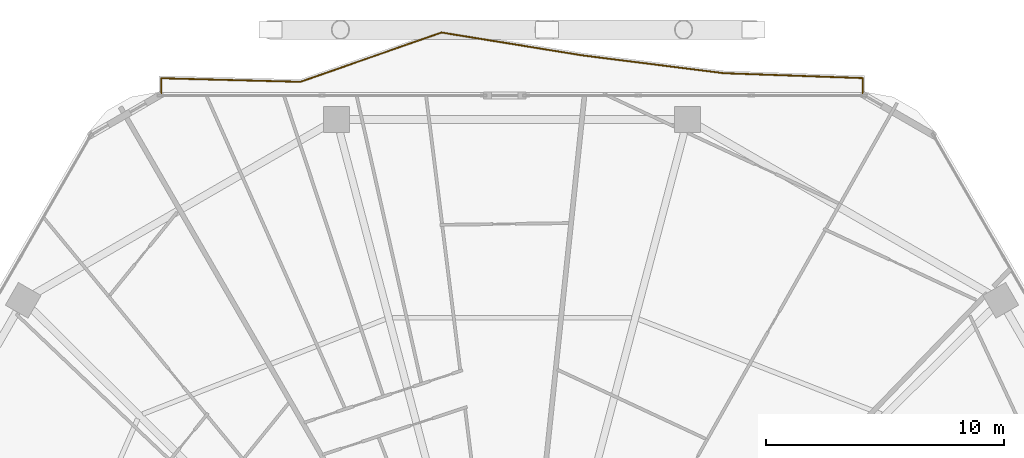
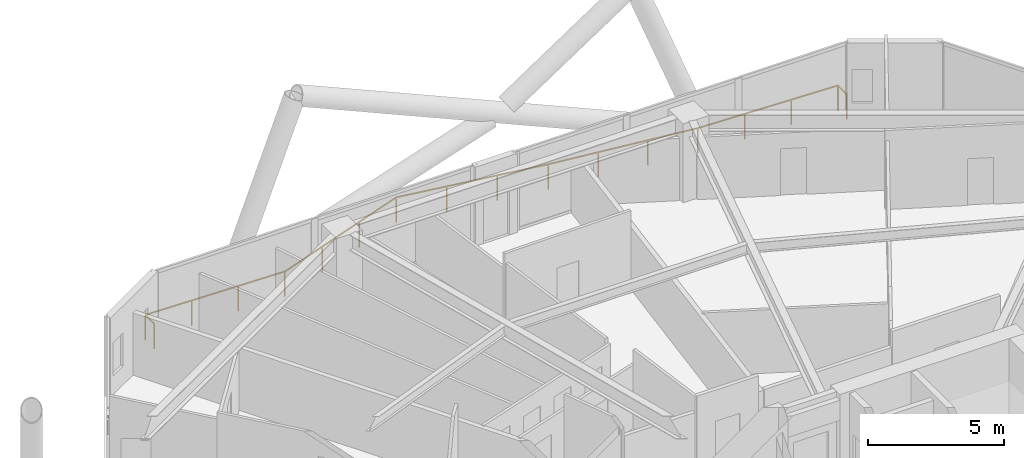
# One storey, part 35 of 35: 1 railing.
"""IFC4 building model written with IfcOpenShell, lengths in metres."""

from ifc_helpers import new_model, si_unit, direction, frame, origin, origin_2d, place, context, subcontext, project, spatial, rectangle, extrude, material, type_object, element, save


model = new_model("IFC4")

# Units and contexts
model_context = context("Model", 3, precision=1e-05, world=origin(), true_north=direction((0.0, 1.0)))
body_context = subcontext(model_context, "Body", "Model", "MODEL_VIEW")
ifc_project = project(units=[si_unit("LENGTHUNIT", "METRE"), si_unit("AREAUNIT", "SQUARE_METRE"), si_unit("VOLUMEUNIT", "CUBIC_METRE"), si_unit("PLANEANGLEUNIT", "RADIAN"), si_unit("MASSUNIT", "GRAM", prefix="KILO")], contexts=[model_context])

# Site, building, storey
site_placement = place(None, origin())
site = spatial("IfcSite", under=ifc_project, at=site_placement, CompositionType="ELEMENT")
building_placement = place(site_placement, origin())
building = spatial("IfcBuilding", under=site, at=building_placement, Name="Zuhravey Tower", CompositionType="ELEMENT")
storey_placement = place(building_placement, frame((0.0, 0.0, 92.39990234375)))
storey = spatial("IfcBuildingStorey", under=building, at=storey_placement, Name="L22", CompositionType="ELEMENT", Elevation=92.39990234375)

# Railing
ifc_material = material(Name="Stainless steel 316 and laminated glass", Category="steel")
railing_type = type_object("IfcRailingType", Name="Balcony & Terrace Guardrail 1150", PredefinedType="BALUSTRADE", material=ifc_material)
railing_placement = place(storey_placement, frame((21.271728515625, 61.04345703125, 0.0)))
element("IfcRailing", 1, at=railing_placement, inside=storey, type_object=railing_type, Name="L22 Face 2 Wave Balcony Guardrail GR1", PredefinedType="BALUSTRADE", context=body_context, shape_type="SweptSolid", body=[
    extrude(rectangle(XDim=0.048095703125, YDim=0.048095703125, at=origin_2d()), frame((0.0, 0.001953125, 1.1259765625), z_axis=(0.0, 1.0, 0.0), x_axis=(-1.0, 0.0, 0.0)), (0.0, 0.0, 1.0), 0.633544921875),
    extrude(rectangle(XDim=0.048095703125, YDim=0.048095703125, at=origin_2d()), frame((0.001953125, 0.637451171875, 1.1259765625), z_axis=(0.999667221424, -0.025796247979, 0.0), x_axis=(0.025796247979, 0.999667221424, 0.0)), (0.0, 0.0, 1.0), 5.844970703125),
    extrude(rectangle(XDim=0.048095703125, YDim=0.048095703125, at=origin_2d()), frame((5.848876953125, 0.4873046875, 1.1259765625), z_axis=(0.944045612029, 0.329814921448, 0.0), x_axis=(-0.329814921448, 0.944045612029, 0.0)), (0.0, 0.0, 1.0), 6.271728515625),
    extrude(rectangle(XDim=0.048095703125, YDim=0.048095703125, at=origin_2d()), frame((11.7734375, 2.55615234375, 1.1259765625), z_axis=(0.987081777672, -0.160217240607, 0.0), x_axis=(0.160217240607, 0.987081777672, 0.0)), (0.0, 0.0, 1.0), 5.9814453125),
    extrude(rectangle(XDim=0.048095703125, YDim=0.048095703125, at=origin_2d()), frame((17.681640625, 1.59716796875, 1.1259765625), z_axis=(0.992141718114, -0.125119187889, 0.0), x_axis=(0.125119187889, 0.992141718114, 0.0)), (0.0, 0.0, 1.0), 5.98046875),
    extrude(rectangle(XDim=0.048095703125, YDim=0.048095703125, at=origin_2d()), frame((23.619140625, 0.8486328125, 1.1259765625), z_axis=(0.99938386294, -0.035098354581, 0.0), x_axis=(0.035098354581, 0.99938386294, 0.0)), (0.0, 0.0, 1.0), 5.8388671875),
    extrude(rectangle(XDim=0.048095703125, YDim=0.048095703125, at=origin_2d()), frame((29.45654296875, 0.6416015625, 1.1259765625), z_axis=(0.0, -1.0, 0.0), x_axis=(1.0, 0.0, 0.0)), (0.0, 0.0, 1.0), 0.6396484375),
    extrude(rectangle(XDim=0.0419921875, YDim=0.0419921875, at=origin_2d()), origin(), (0.0, 0.0, 1.0), 1.099853515625),
    extrude(rectangle(XDim=0.0419921875, YDim=0.0419921875, at=origin_2d()), frame((0.0, 0.637451171875, 0.0)), (0.0, 0.0, 1.0), 1.099853515625),
    extrude(rectangle(XDim=0.0419921875, YDim=0.0419921875, at=origin_2d()), frame((1.948974609375, 0.587158203125, 0.0)), (0.0, 0.0, 1.0), 1.099853515625),
    extrude(rectangle(XDim=0.0419921875, YDim=0.0419921875, at=origin_2d()), frame((3.89794921875, 0.536865234375, 0.0)), (0.0, 0.0, 1.0), 1.099853515625),
    extrude(rectangle(XDim=0.0419921875, YDim=0.0419921875, at=origin_2d()), frame((5.846923828125, 0.486572265625, 0.0)), (0.0, 0.0, 1.0), 1.099853515625),
    extrude(rectangle(XDim=0.0419921875, YDim=0.0419921875, at=origin_2d()), frame((7.82177734375, 1.176513671875, 0.0)), (0.0, 0.0, 1.0), 1.099853515625),
    extrude(rectangle(XDim=0.0419921875, YDim=0.0419921875, at=origin_2d()), frame((9.796630859375, 1.866455078125, 0.0)), (0.0, 0.0, 1.0), 1.099853515625),
    extrude(rectangle(XDim=0.0419921875, YDim=0.0419921875, at=origin_2d()), frame((11.771484375, 2.556396484375, 0.0)), (0.0, 0.0, 1.0), 1.099853515625),
    extrude(rectangle(XDim=0.0419921875, YDim=0.0419921875, at=origin_2d()), frame((13.740966796875, 2.23681640625, 0.0)), (0.0, 0.0, 1.0), 1.099853515625),
    extrude(rectangle(XDim=0.0419921875, YDim=0.0419921875, at=origin_2d()), frame((15.710205078125, 1.9169921875, 0.0)), (0.0, 0.0, 1.0), 1.099853515625),
    extrude(rectangle(XDim=0.0419921875, YDim=0.0419921875, at=origin_2d()), frame((17.6796875, 1.597412109375, 0.0)), (0.0, 0.0, 1.0), 1.099853515625),
    extrude(rectangle(XDim=0.0419921875, YDim=0.0419921875, at=origin_2d()), frame((19.658935546875, 1.347900390625, 0.0)), (0.0, 0.0, 1.0), 1.099853515625),
    extrude(rectangle(XDim=0.0419921875, YDim=0.0419921875, at=origin_2d()), frame((21.637939453125, 1.09814453125, 0.0)), (0.0, 0.0, 1.0), 1.099853515625),
    extrude(rectangle(XDim=0.0419921875, YDim=0.0419921875, at=origin_2d()), frame((23.6171875, 0.8486328125, 0.0)), (0.0, 0.0, 1.0), 1.099853515625),
    extrude(rectangle(XDim=0.0419921875, YDim=0.0419921875, at=origin_2d()), frame((25.563720703125, 0.7802734375, 0.0)), (0.0, 0.0, 1.0), 1.099853515625),
    extrude(rectangle(XDim=0.0419921875, YDim=0.0419921875, at=origin_2d()), frame((27.510009765625, 0.7119140625, 0.0)), (0.0, 0.0, 1.0), 1.099853515625),
    extrude(rectangle(XDim=0.0419921875, YDim=0.0419921875, at=origin_2d()), frame((29.45654296875, 0.6435546875, 0.0)), (0.0, 0.0, 1.0), 1.099853515625),
    extrude(rectangle(XDim=0.0419921875, YDim=0.0419921875, at=origin_2d()), frame((29.45654296875, 0.0, 0.0)), (0.0, 0.0, 1.0), 1.099853515625),
])

save(model, "model.ifc")
